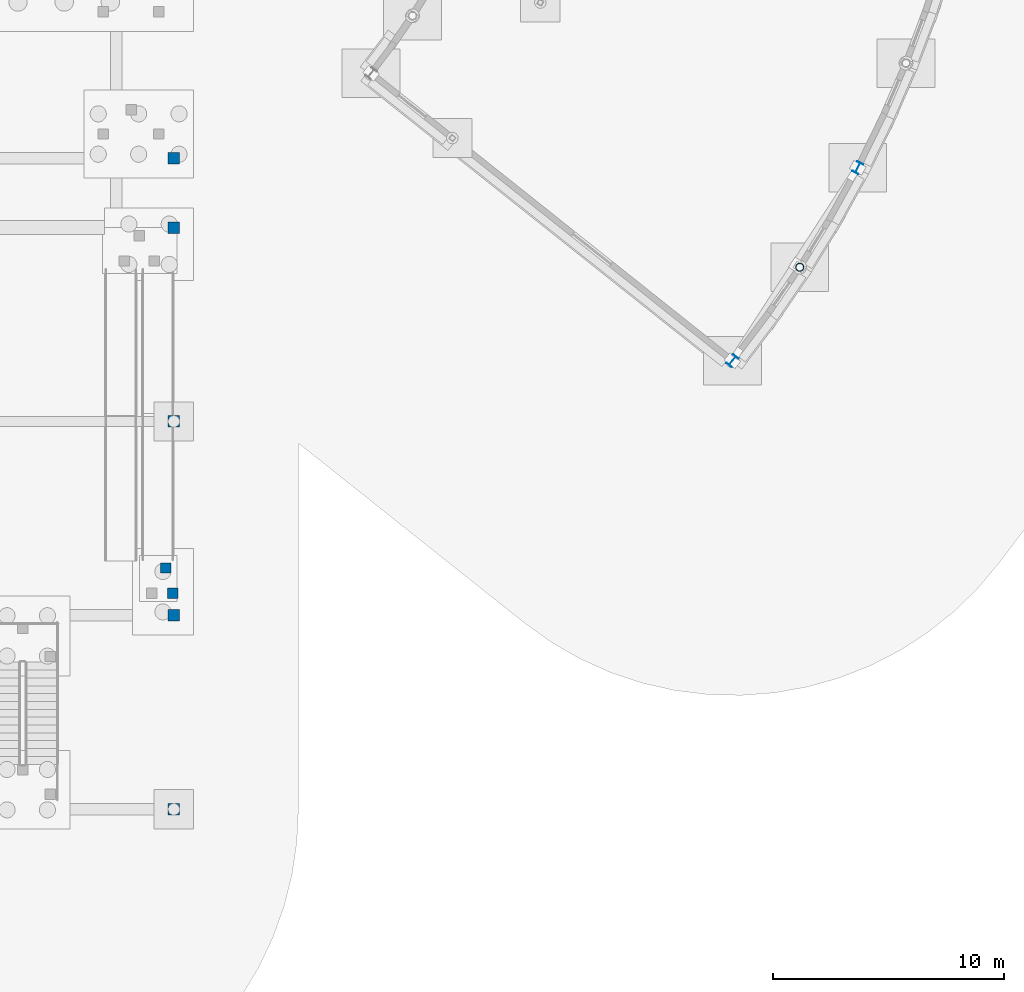
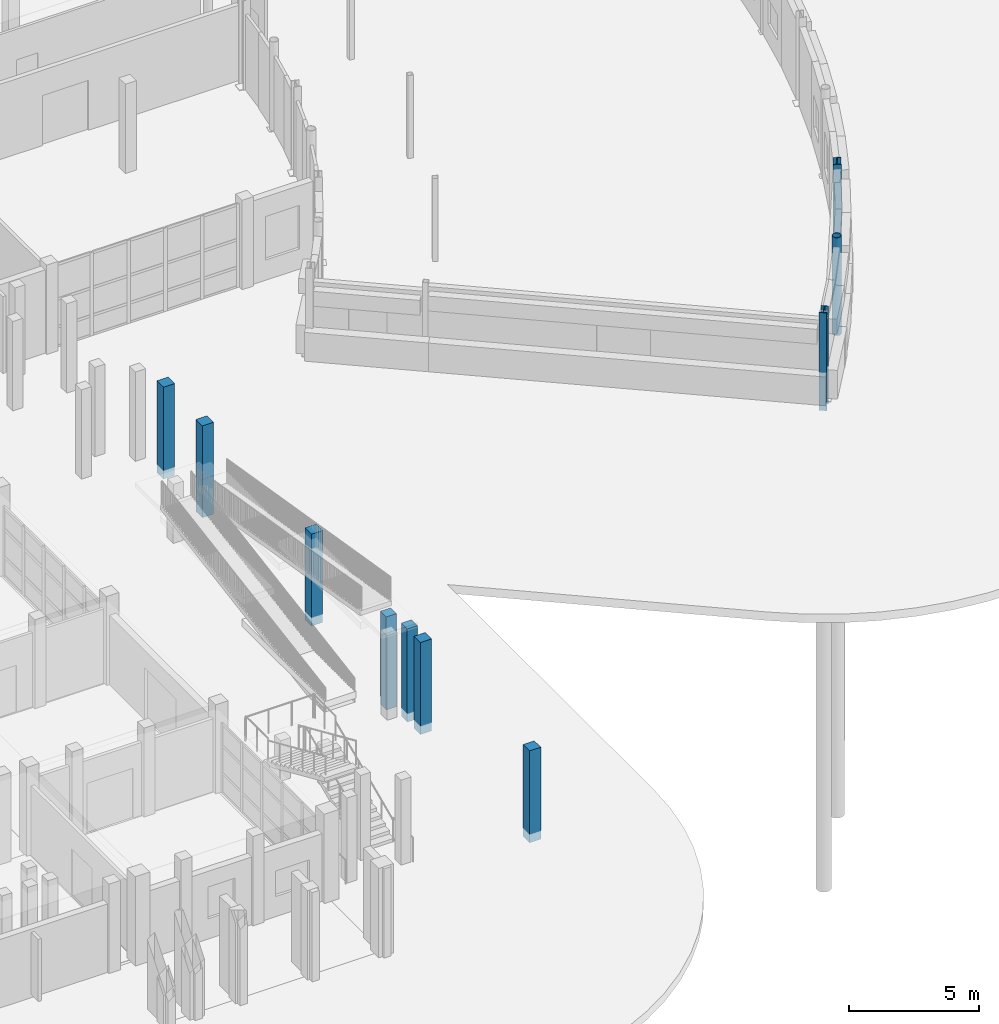
# One storey, part 11 of 88: 10 columns.
"""IFC4 building model written with IfcOpenShell, lengths in metres."""

from ifc_helpers import new_model, si_unit, direction, frame, origin, origin_2d, place, context, subcontext, project, spatial, rectangle, hollow_circle, i_section, extrude, material, material_profile, profile_set, type_object, element, save


model = new_model("IFC4")

# Units and contexts
model_context = context("Model", 3, precision=1e-05, world=origin(), true_north=direction((0.0, 1.0)))
body_context = subcontext(model_context, "Body", "Model", "MODEL_VIEW")
ifc_project = project(units=[si_unit("LENGTHUNIT", "METRE"), si_unit("AREAUNIT", "SQUARE_METRE"), si_unit("VOLUMEUNIT", "CUBIC_METRE"), si_unit("PLANEANGLEUNIT", "RADIAN"), si_unit("MASSUNIT", "GRAM", prefix="KILO")], contexts=[model_context])

# Site, building, storey
site_placement = place(None, origin())
site = spatial("IfcSite", under=ifc_project, at=site_placement, CompositionType="ELEMENT")
building_placement = place(site_placement, origin())
building = spatial("IfcBuilding", under=site, at=building_placement, Name="Vanh Quang Courtyard School", CompositionType="ELEMENT")
storey_placement = place(building_placement, origin())
storey = spatial("IfcBuildingStorey", under=building, at=storey_placement, Name="L00", CompositionType="ELEMENT", Elevation=0.0)

# Columns
ifc_material_1 = material(Name="Concrete C35/45", Category="concrete")
ifc_material_profile_1 = material_profile(ifc_material_1, rectangle(XDim=0.449951171875, YDim=0.449951171875, at=origin_2d()), Name="RC-COL 450x450")
ifc_profile_set_1 = profile_set([ifc_material_profile_1], Name="Concrete C35/45")
column_type_1 = type_object("IfcColumnType", Name="COL-RC-450", PredefinedType="COLUMN", material=ifc_profile_set_1)
for number, where, z_axis, x_axis, name in (
    (1, (128.449951171875, 13.550048828125, -0.39990234375), (0.0, 0.0, 1.0), (1.0, 0.0, 0.0), "Column C-06 (L00)"),
    (2, (128.14990234375, 14.64990234375, -0.39990234375), (0.0, 0.0, 1.0), (1.0, 0.0, 0.0), "Column C-06 (L00)"),
):
    element("IfcColumn", number, at=place(storey_placement, frame(where, z_axis=z_axis, x_axis=x_axis)), inside=storey, type_object=column_type_1, Name=name, PredefinedType="COLUMN", context=body_context, shape_type="SweptSolid", body=[
        extrude(rectangle(XDim=0.449951171875, YDim=0.449951171875, at=origin_2d()), origin(), (0.0, 0.0, 1.0), 4.3798828125),
    ])
ifc_material_profile_2 = material_profile(ifc_material_1, rectangle(XDim=0.5, YDim=0.5, at=origin_2d()), Name="RC-COL 500x500")
ifc_profile_set_2 = profile_set([ifc_material_profile_2], Name="Concrete C35/45")
column_type_2 = type_object("IfcColumnType", Name="COL-RC-500", PredefinedType="COLUMN", material=ifc_profile_set_2)
for number, where, z_axis, x_axis, name in (
    (3, (128.5, 4.199951171875, -0.39990234375), (0.0, 0.0, 1.0), (1.0, 0.0, 0.0), "Column C-05 (L00)"),
    (4, (128.5, 12.60009765625, -0.39990234375), (0.0, 0.0, 1.0), (1.0, 0.0, 0.0), "Column C-05 (L00)"),
    (5, (128.5, 21.0, -0.39990234375), (0.0, 0.0, 1.0), (1.0, 0.0, 0.0), "Column C-05 (L00)"),
    (6, (128.5, 29.39990234375, -0.39990234375), (0.0, 0.0, 1.0), (1.0, 0.0, 0.0), "Column C-05 (L00)"),
    (7, (128.5, 32.39990234375, -0.39990234375), (0.0, 0.0, 1.0), (1.0, 0.0, 0.0), "Column C-05 (L00)"),
):
    element("IfcColumn", number, at=place(storey_placement, frame(where, z_axis=z_axis, x_axis=x_axis)), inside=storey, type_object=column_type_2, Name=name, PredefinedType="COLUMN", context=body_context, shape_type="SweptSolid", body=[
        extrude(rectangle(XDim=0.5, YDim=0.5, at=origin_2d()), origin(), (0.0, 0.0, 1.0), 4.31982421875),
    ])
ifc_material_2 = material(Name="Structural steel EN 10025-2 S355J2", Category="steel")
ifc_material_profile_3 = material_profile(ifc_material_2, hollow_circle(Radius=0.177734375, WallThickness=0.01611328125, at=origin_2d()), Name="CHS 355.6x16")
ifc_profile_set_3 = profile_set([ifc_material_profile_3], Name="Structural steel EN 10025-2 S355J2")
column_type_3 = type_object("IfcColumnType", Name="COL-STL-CHS355", PredefinedType="COLUMN", material=ifc_profile_set_3)
column_placement = place(storey_placement, frame((155.61083984375, 27.6787109375, -0.39990234375), z_axis=(0.0, 0.0, 1.0), x_axis=(1.0, 0.0, 0.0)))
element("IfcColumn", 8, at=column_placement, inside=storey, type_object=column_type_3, Name="Column CS-05 (L00)", PredefinedType="COLUMN", context=body_context, shape_type="SweptSolid", body=[
    extrude(hollow_circle(Radius=0.177734375, WallThickness=0.01611328125, at=origin_2d()), origin(), (0.0, 0.0, 1.0), 4.599853515625),
])
ifc_material_profile_4 = material_profile(ifc_material_2, i_section(OverallWidth=0.300048828125, OverallDepth=0.489990234375, WebThickness=0.011962890625, FlangeThickness=0.02294921875, FilletRadius=0.027099609375, at=origin_2d()), Name="HEA 500")
ifc_profile_set_4 = profile_set([ifc_material_profile_4], Name="Structural steel EN 10025-2 S355J2")
column_type_4 = type_object("IfcColumnType", Name="COL-STL-HEA500", PredefinedType="COLUMN", material=ifc_profile_set_4)
for number, where, z_axis, x_axis, name in (
    (9, (152.695556640625, 23.629150390625, -0.39990234375), (0.0, 0.0, 1.0), (0.782608156852, -0.622514636638, 0.0), "Column CS-01 (L00)"),
    (10, (158.12451171875, 31.989013671875, -0.39990234375), (0.0, 0.0, 1.0), (0.887010833178, -0.461748613235, 0.0), "Column CS-01 (L00)"),
):
    element("IfcColumn", number, at=place(storey_placement, frame(where, z_axis=z_axis, x_axis=x_axis)), inside=storey, type_object=column_type_4, Name=name, PredefinedType="COLUMN", context=body_context, shape_type="SweptSolid", body=[
        extrude(i_section(OverallWidth=0.300048828125, OverallDepth=0.489990234375, WebThickness=0.011962890625, FlangeThickness=0.02294921875, FilletRadius=0.027099609375, at=origin_2d()), origin(), (0.0, 0.0, 1.0), 4.599853515625),
    ])

save(model, "model.ifc")
